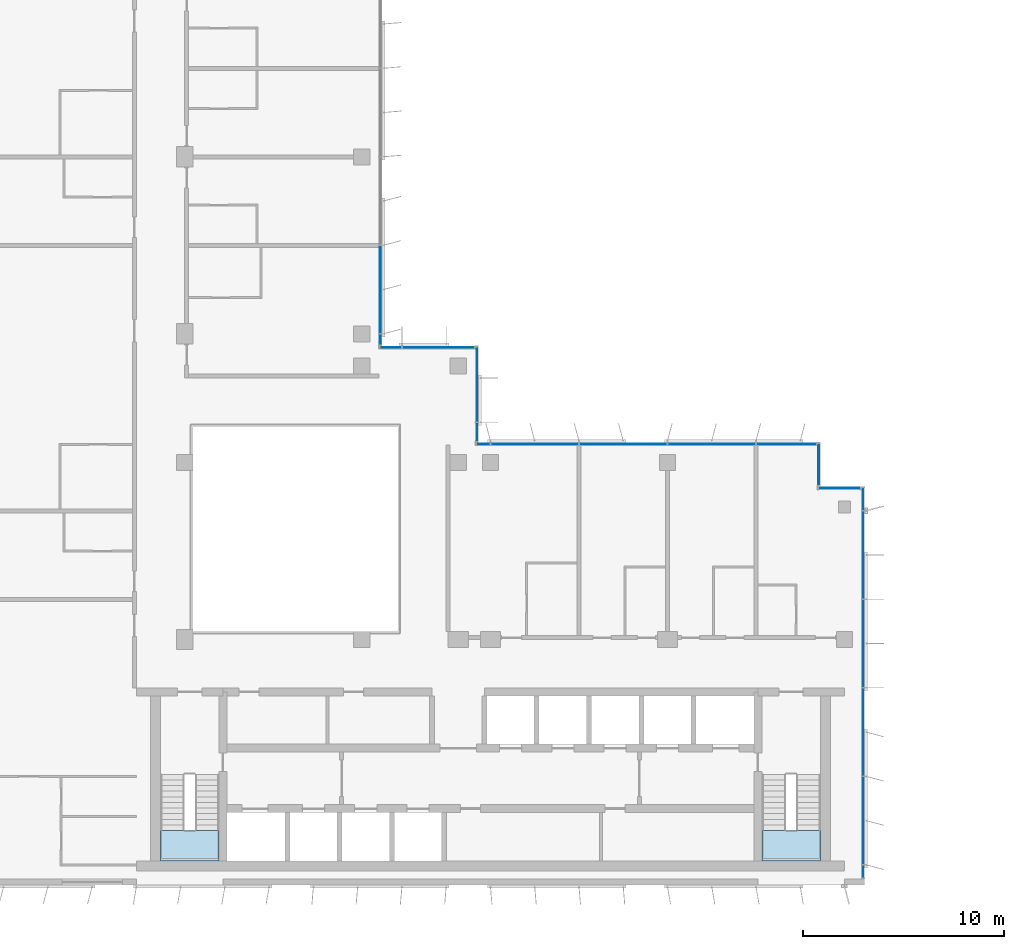
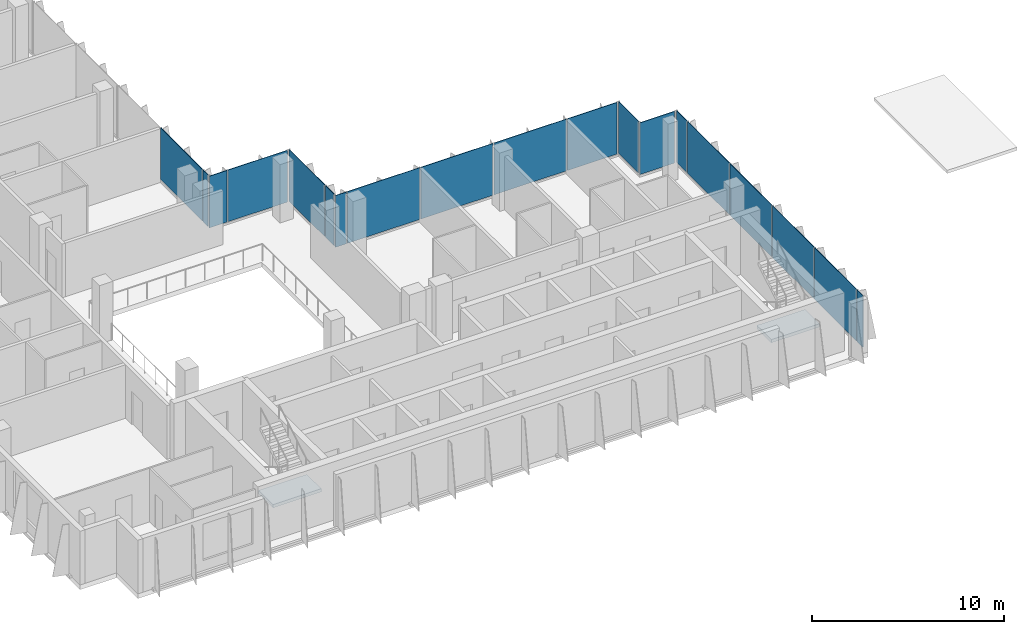
# One storey, part 7 of 17: 19 plates, 2 slabs, 9 elements without a shape of their own.
"""IFC4 building model written with IfcOpenShell, lengths in metres."""

from ifc_helpers import new_model, si_unit, direction, frame, origin, origin_2d, place, context, subcontext, project, spatial, polyline, rectangle, outline, extrude, source, transform, mapped, material, layer, layer_set, type_object, element, aggregate, save


model = new_model("IFC4")

# Units and contexts
model_context = context("Model", 3, precision=1e-05, world=origin(), true_north=direction((0.0, 1.0)))
body_context = subcontext(model_context, "Body", "Model", "MODEL_VIEW")
ifc_project = project(units=[si_unit("LENGTHUNIT", "METRE"), si_unit("AREAUNIT", "SQUARE_METRE"), si_unit("VOLUMEUNIT", "CUBIC_METRE"), si_unit("PLANEANGLEUNIT", "RADIAN"), si_unit("MASSUNIT", "GRAM", prefix="KILO")], contexts=[model_context])

# Site, building, storey
site_placement = place(None, origin())
site = spatial("IfcSite", under=ifc_project, at=site_placement, CompositionType="ELEMENT")
building_placement = place(site_placement, origin())
building = spatial("IfcBuilding", under=site, at=building_placement, Name="Kemantara Hotel Tower", CompositionType="ELEMENT")
storey_placement = place(building_placement, frame((0.0, 0.0, 226.5)))
storey = spatial("IfcBuildingStorey", under=building, at=storey_placement, Name="L56", CompositionType="ELEMENT", Elevation=226.5)

# Stair, slab
ifc_material_1 = material(Name="Concrete fc 40 MPa", Category="concrete")
stair_type = type_object("IfcStairType", Name="Stair 1200 wide 22 risers of 168 x 280 mm", PredefinedType="HALF_TURN_STAIR", material=ifc_material_1)
stair_1_placement = place(storey_placement, origin())
stair_1 = element("IfcStair", 1, at=stair_1_placement, inside=storey, type_object=stair_type, Name="L56 Exit stair ST1", PredefinedType="HALF_TURN_STAIR")
ifc_layer_1 = layer(ifc_material_1, 0.199951171875)
ifc_layer_set_1 = layer_set([ifc_layer_1], Name="Concrete fc 40 MPa")
slab_type = type_object("IfcSlabType", Name="Stair landing 200 mm", PredefinedType="LANDING", material=ifc_layer_set_1)
slab_1_placement = place(storey_placement, frame((0.0, 0.0, 1.64990234375)))
slab_1 = element("IfcSlab", 2, at=slab_1_placement, type_object=slab_type, Name="ST1 landing 1", PredefinedType="LANDING", context=body_context, shape_type="SweptSolid", body=[
    extrude(outline(polyline([(11.0, 2.699951171875), (11.0, 1.199951171875), (13.89990234375, 1.199951171875), (13.89990234375, 2.699951171875), (11.0, 2.699951171875)])), origin(), (0.0, 0.0, 1.0), 0.2001953125),
])
aggregate(stair_1, [slab_1])

stair_2_placement = place(storey_placement, origin())
stair_2 = element("IfcStair", 3, at=stair_2_placement, inside=storey, type_object=stair_type, Name="L56 Exit stair ST2", PredefinedType="HALF_TURN_STAIR")
slab_2_placement = place(storey_placement, frame((0.0, 0.0, 1.64990234375)))
slab_2 = element("IfcSlab", 4, at=slab_2_placement, type_object=slab_type, Name="ST2 landing 1", PredefinedType="LANDING", context=body_context, shape_type="SweptSolid", body=[
    extrude(outline(polyline([(40.89990234375, 2.699951171875), (40.89990234375, 1.199951171875), (43.800048828125, 1.199951171875), (43.800048828125, 2.699951171875), (40.89990234375, 2.699951171875)])), origin(), (0.0, 0.0, 1.0), 0.2001953125),
])
aggregate(stair_2, [slab_2])

# Curtain wall, plates
ifc_material_2 = material(Name="Low-E tinted double insulated glass 36 mm", Category="glass")
curtain_wall_type = type_object("IfcCurtainWallType", Name="TOWER CURTAIN WALL, FRONT FACES", PredefinedType="USERDEFINED", material=ifc_material_2)
curtain_wall_1_placement = place(storey_placement, origin())
curtain_wall_1 = element("IfcCurtainWall", 5, at=curtain_wall_1_placement, inside=storey, type_object=curtain_wall_type, Name="CW4 L56 T4-R09-1", ObjectType="TOWER CURTAIN WALL, FRONT FACES", PredefinedType="USERDEFINED")
ifc_layer_2 = layer(ifc_material_2, 0.035888671875)
ifc_layer_set_2 = layer_set([ifc_layer_2], Name="Low-E tinted double insulated glass 36 mm")
plate_type = type_object("IfcPlateType", Name="TOWER CURTAIN WALL, FRONT FACES PANEL", PredefinedType="CURTAIN_PANEL", material=ifc_layer_set_2)
shared_shape_1 = source(origin(), body_context, "Body", "SweptSolid", [
    extrude(rectangle(XDim=4.340087890625, YDim=0.035888671875, at=origin_2d()), origin(), (0.0, 0.0, 1.0), 3.280029296875),
])
plate_1_placement = place(storey_placement, frame((45.925048828125, 3.199951171875, 0.1201171875), z_axis=(0.0, 0.0, 1.0), x_axis=(0.0, 1.0, 0.0)))
plate_1 = element("IfcPlate", 6, at=plate_1_placement, type_object=plate_type, Name="CW4 glass panel T4-R09-1.2", PredefinedType="CURTAIN_PANEL", context=body_context, shape_type="MappedRepresentation", body=[
    mapped(shared_shape_1, transform((0.0, 0.0, 0.0))),
])
plate_2_placement = place(storey_placement, frame((45.925048828125, 7.60009765625, 0.1201171875), z_axis=(0.0, 0.0, 1.0), x_axis=(0.0, 1.0, 0.0)))
plate_2 = element("IfcPlate", 7, at=plate_2_placement, type_object=plate_type, Name="CW4 glass panel T4-R09-1.3", PredefinedType="CURTAIN_PANEL", context=body_context, shape_type="MappedRepresentation", body=[
    mapped(shared_shape_1, transform((0.0, 0.0, 0.0))),
])
plate_3_placement = place(storey_placement, frame((45.925048828125, 12.0, 0.1201171875), z_axis=(0.0, 0.0, 1.0), x_axis=(0.0, 1.0, 0.0)))
plate_3 = element("IfcPlate", 8, at=plate_3_placement, type_object=plate_type, Name="CW4 glass panel T4-R09-1.4", PredefinedType="CURTAIN_PANEL", context=body_context, shape_type="MappedRepresentation", body=[
    mapped(shared_shape_1, transform((0.0, 0.0, 0.0))),
])
plate_4_placement = place(storey_placement, frame((45.925048828125, 16.39990234375, 0.1201171875), z_axis=(0.0, 0.0, 1.0), x_axis=(0.0, 1.0, 0.0)))
plate_4 = element("IfcPlate", 9, at=plate_4_placement, type_object=plate_type, Name="CW4 glass panel T4-R09-1.5", PredefinedType="CURTAIN_PANEL", context=body_context, shape_type="MappedRepresentation", body=[
    mapped(shared_shape_1, transform((0.0, 0.0, 0.0))),
])

curtain_wall_2_placement = place(storey_placement, origin())
curtain_wall_2 = element("IfcCurtainWall", 10, at=curtain_wall_2_placement, inside=storey, type_object=curtain_wall_type, Name="CW4 L56 T4-R12-1", ObjectType="TOWER CURTAIN WALL, FRONT FACES", PredefinedType="USERDEFINED")
plate_5_placement = place(storey_placement, frame((38.39990234375, 21.925048828125, 0.1201171875), z_axis=(0.0, 0.0, 1.0), x_axis=(-1.0, 0.0, 0.0)))
plate_5 = element("IfcPlate", 11, at=plate_5_placement, type_object=plate_type, Name="CW4 glass panel T4-R12-1.2", PredefinedType="CURTAIN_PANEL", context=body_context, shape_type="MappedRepresentation", body=[
    mapped(shared_shape_1, transform((0.0, 0.0, 0.0))),
])
plate_6_placement = place(storey_placement, frame((34.0, 21.925048828125, 0.1201171875), z_axis=(0.0, 0.0, 1.0), x_axis=(-1.0, 0.0, 0.0)))
plate_6 = element("IfcPlate", 12, at=plate_6_placement, type_object=plate_type, Name="CW4 glass panel T4-R12-1.3", PredefinedType="CURTAIN_PANEL", context=body_context, shape_type="MappedRepresentation", body=[
    mapped(shared_shape_1, transform((0.0, 0.0, 0.0))),
])
plate_7_placement = place(storey_placement, frame((29.60009765625, 21.925048828125, 0.1201171875), z_axis=(0.0, 0.0, 1.0), x_axis=(-1.0, 0.0, 0.0)))
plate_7 = element("IfcPlate", 13, at=plate_7_placement, type_object=plate_type, Name="CW4 glass panel T4-R12-1.4", PredefinedType="CURTAIN_PANEL", context=body_context, shape_type="MappedRepresentation", body=[
    mapped(shared_shape_1, transform((0.0, 0.0, 0.0))),
])

# Curtain wall, plate
curtain_wall_3_placement = place(storey_placement, origin())
curtain_wall_3 = element("IfcCurtainWall", 14, at=curtain_wall_3_placement, inside=storey, type_object=curtain_wall_type, Name="CW4 L56 T4-R15-1", ObjectType="TOWER CURTAIN WALL, FRONT FACES", PredefinedType="USERDEFINED")
plate_8_placement = place(storey_placement, frame((21.925048828125, 29.60009765625, 0.1201171875), z_axis=(0.0, 0.0, 1.0), x_axis=(0.0, 1.0, 0.0)))
plate_8 = element("IfcPlate", 15, at=plate_8_placement, type_object=plate_type, Name="CW4 glass panel T4-R15-1.2", PredefinedType="CURTAIN_PANEL", context=body_context, shape_type="MappedRepresentation", body=[
    mapped(shared_shape_1, transform((0.0, 0.0, 0.0))),
])

curtain_wall_4_placement = place(storey_placement, origin())
curtain_wall_4 = element("IfcCurtainWall", 16, at=curtain_wall_4_placement, inside=storey, type_object=curtain_wall_type, Name="CW4 L56 T4-R10-1", ObjectType="TOWER CURTAIN WALL, FRONT FACES", PredefinedType="USERDEFINED")
shared_shape_2 = source(origin(), body_context, "Body", "SweptSolid", [
    extrude(rectangle(XDim=2.080078125, YDim=0.035888671875, at=origin_2d()), origin(), (0.0, 0.0, 1.0), 3.280029296875),
])
plate_9_placement = place(storey_placement, frame((44.75, 19.72509765625, 0.1201171875), z_axis=(0.0, 0.0, 1.0), x_axis=(-1.0, 0.0, 0.0)))
plate_9 = element("IfcPlate", 17, at=plate_9_placement, type_object=plate_type, Name="CW4 glass panel T4-R10-1.1", PredefinedType="CURTAIN_PANEL", context=body_context, shape_type="MappedRepresentation", body=[
    mapped(shared_shape_2, transform((0.0, 0.0, 0.0))),
])
aggregate(curtain_wall_4, [plate_9])

curtain_wall_5_placement = place(storey_placement, origin())
curtain_wall_5 = element("IfcCurtainWall", 18, at=curtain_wall_5_placement, inside=storey, type_object=curtain_wall_type, Name="CW4 L56 T4-R11-1", ObjectType="TOWER CURTAIN WALL, FRONT FACES", PredefinedType="USERDEFINED")
plate_10_placement = place(storey_placement, frame((43.72509765625, 20.89990234375, 0.1201171875), z_axis=(0.0, 0.0, 1.0), x_axis=(0.0, 1.0, 0.0)))
plate_10 = element("IfcPlate", 19, at=plate_10_placement, type_object=plate_type, Name="CW4 glass panel T4-R11-1.1", PredefinedType="CURTAIN_PANEL", context=body_context, shape_type="MappedRepresentation", body=[
    mapped(shared_shape_2, transform((0.0, 0.0, 0.0))),
])
aggregate(curtain_wall_5, [plate_10])

# Plate
shared_shape_3 = source(origin(), body_context, "Body", "SweptSolid", [
    extrude(rectangle(XDim=2.9599609375, YDim=0.035888671875, at=origin_2d()), origin(), (0.0, 0.0, 1.0), 3.280029296875),
])
plate_11_placement = place(storey_placement, frame((42.110107421875, 21.925048828125, 0.1201171875), z_axis=(0.0, 0.0, 1.0), x_axis=(-1.0, 0.0, 0.0)))
plate_11 = element("IfcPlate", 20, at=plate_11_placement, type_object=plate_type, Name="CW4 glass panel T4-R12-1.1", PredefinedType="CURTAIN_PANEL", context=body_context, shape_type="MappedRepresentation", body=[
    mapped(shared_shape_3, transform((0.0, 0.0, 0.0))),
])

shared_shape_4 = source(origin(), body_context, "Body", "SweptSolid", [
    extrude(rectangle(XDim=0.659912109375, YDim=0.035888671875, at=origin_2d()), origin(), (0.0, 0.0, 1.0), 3.280029296875),
])
plate_12_placement = place(storey_placement, frame((27.0400390625, 21.925048828125, 0.1201171875), z_axis=(0.0, 0.0, 1.0), x_axis=(-1.0, 0.0, 0.0)))
plate_12 = element("IfcPlate", 21, at=plate_12_placement, type_object=plate_type, Name="CW4 glass panel T4-R12-1.5", PredefinedType="CURTAIN_PANEL", context=body_context, shape_type="MappedRepresentation", body=[
    mapped(shared_shape_4, transform((0.0, 0.0, 0.0))),
])

aggregate(curtain_wall_2, [plate_11, plate_5, plate_6, plate_7, plate_12])

shared_shape_5 = source(origin(), body_context, "Body", "SweptSolid", [
    extrude(rectangle(XDim=0.510009765625, YDim=0.035888671875, at=origin_2d()), origin(), (0.0, 0.0, 1.0), 3.280029296875),
])
plate_13_placement = place(storey_placement, frame((21.925048828125, 27.114990234375, 0.1201171875), z_axis=(0.0, 0.0, 1.0), x_axis=(0.0, 1.0, 0.0)))
plate_13 = element("IfcPlate", 22, at=plate_13_placement, type_object=plate_type, Name="CW4 glass panel T4-R15-1.1", PredefinedType="CURTAIN_PANEL", context=body_context, shape_type="MappedRepresentation", body=[
    mapped(shared_shape_5, transform((0.0, 0.0, 0.0))),
])

aggregate(curtain_wall_3, [plate_13, plate_8])

# Curtain wall, plate
curtain_wall_6_placement = place(storey_placement, origin())
curtain_wall_6 = element("IfcCurtainWall", 23, at=curtain_wall_6_placement, inside=storey, type_object=curtain_wall_type, Name="CW4 L56 T4-R13-1", ObjectType="TOWER CURTAIN WALL, FRONT FACES", PredefinedType="USERDEFINED")
shared_shape_6 = source(origin(), body_context, "Body", "SweptSolid", [
    extrude(rectangle(XDim=0.909912109375, YDim=0.035888671875, at=origin_2d()), origin(), (0.0, 0.0, 1.0), 3.280029296875),
])
plate_14_placement = place(storey_placement, frame((26.72509765625, 22.514892578125, 0.1201171875), z_axis=(0.0, 0.0, 1.0), x_axis=(0.0, 1.0, 0.0)))
plate_14 = element("IfcPlate", 24, at=plate_14_placement, type_object=plate_type, Name="CW4 glass panel T4-R13-1.1", PredefinedType="CURTAIN_PANEL", context=body_context, shape_type="MappedRepresentation", body=[
    mapped(shared_shape_6, transform((0.0, 0.0, 0.0))),
])

# Plate
shared_shape_7 = source(origin(), body_context, "Body", "SweptSolid", [
    extrude(rectangle(XDim=1.110107421875, YDim=0.035888671875, at=origin_2d()), origin(), (0.0, 0.0, 1.0), 3.280029296875),
])
plate_15_placement = place(storey_placement, frame((45.925048828125, 19.18505859375, 0.1201171875), z_axis=(0.0, 0.0, 1.0), x_axis=(0.0, 1.0, 0.0)))
plate_15 = element("IfcPlate", 25, at=plate_15_placement, type_object=plate_type, Name="CW4 glass panel T4-R09-1.6", PredefinedType="CURTAIN_PANEL", context=body_context, shape_type="MappedRepresentation", body=[
    mapped(shared_shape_7, transform((0.0, 0.0, 0.0))),
])

shared_shape_8 = source(origin(), body_context, "Body", "SweptSolid", [
    extrude(rectangle(XDim=3.7099609375, YDim=0.035888671875, at=origin_2d()), origin(), (0.0, 0.0, 1.0), 3.280029296875),
])
plate_16_placement = place(storey_placement, frame((26.72509765625, 24.885009765625, 0.1201171875), z_axis=(0.0, 0.0, 1.0), x_axis=(0.0, 1.0, 0.0)))
plate_16 = element("IfcPlate", 26, at=plate_16_placement, type_object=plate_type, Name="CW4 glass panel T4-R13-1.2", PredefinedType="CURTAIN_PANEL", context=body_context, shape_type="MappedRepresentation", body=[
    mapped(shared_shape_8, transform((0.0, 0.0, 0.0))),
])

aggregate(curtain_wall_6, [plate_14, plate_16])

# Curtain wall, plates
curtain_wall_7_placement = place(storey_placement, origin())
curtain_wall_7 = element("IfcCurtainWall", 27, at=curtain_wall_7_placement, inside=storey, type_object=curtain_wall_type, Name="CW4 L56 T4-R14-1", ObjectType="TOWER CURTAIN WALL, FRONT FACES", PredefinedType="USERDEFINED")
shared_shape_9 = source(origin(), body_context, "Body", "SweptSolid", [
    extrude(rectangle(XDim=3.56005859375, YDim=0.035888671875, at=origin_2d()), origin(), (0.0, 0.0, 1.0), 3.280029296875),
])
plate_17_placement = place(storey_placement, frame((24.81005859375, 26.72509765625, 0.1201171875), z_axis=(0.0, 0.0, 1.0), x_axis=(-1.0, 0.0, 0.0)))
plate_17 = element("IfcPlate", 28, at=plate_17_placement, type_object=plate_type, Name="CW4 glass panel T4-R14-1.1", PredefinedType="CURTAIN_PANEL", context=body_context, shape_type="MappedRepresentation", body=[
    mapped(shared_shape_9, transform((0.0, 0.0, 0.0))),
])
shared_shape_10 = source(origin(), body_context, "Body", "SweptSolid", [
    extrude(rectangle(XDim=1.06005859375, YDim=0.035888671875, at=origin_2d()), origin(), (0.0, 0.0, 1.0), 3.280029296875),
])
plate_18_placement = place(storey_placement, frame((22.43994140625, 26.72509765625, 0.1201171875), z_axis=(0.0, 0.0, 1.0), x_axis=(-1.0, 0.0, 0.0)))
plate_18 = element("IfcPlate", 29, at=plate_18_placement, type_object=plate_type, Name="CW4 glass panel T4-R14-1.2", PredefinedType="CURTAIN_PANEL", context=body_context, shape_type="MappedRepresentation", body=[
    mapped(shared_shape_10, transform((0.0, 0.0, 0.0))),
])
aggregate(curtain_wall_7, [plate_17, plate_18])

# Plate
shared_shape_11 = source(origin(), body_context, "Body", "SweptSolid", [
    extrude(rectangle(XDim=0.610107421875, YDim=0.035888671875, at=origin_2d()), origin(), (0.0, 0.0, 1.0), 3.280029296875),
])
plate_19_placement = place(storey_placement, frame((45.925048828125, 0.6650390625, 0.1201171875), z_axis=(0.0, 0.0, 1.0), x_axis=(0.0, 1.0, 0.0)))
plate_19 = element("IfcPlate", 30, at=plate_19_placement, type_object=plate_type, Name="CW4 glass panel T4-R09-1.1", PredefinedType="CURTAIN_PANEL", context=body_context, shape_type="MappedRepresentation", body=[
    mapped(shared_shape_11, transform((0.0, 0.0, 0.0))),
])

aggregate(curtain_wall_1, [plate_19, plate_1, plate_2, plate_3, plate_4, plate_15])

save(model, "model.ifc")
